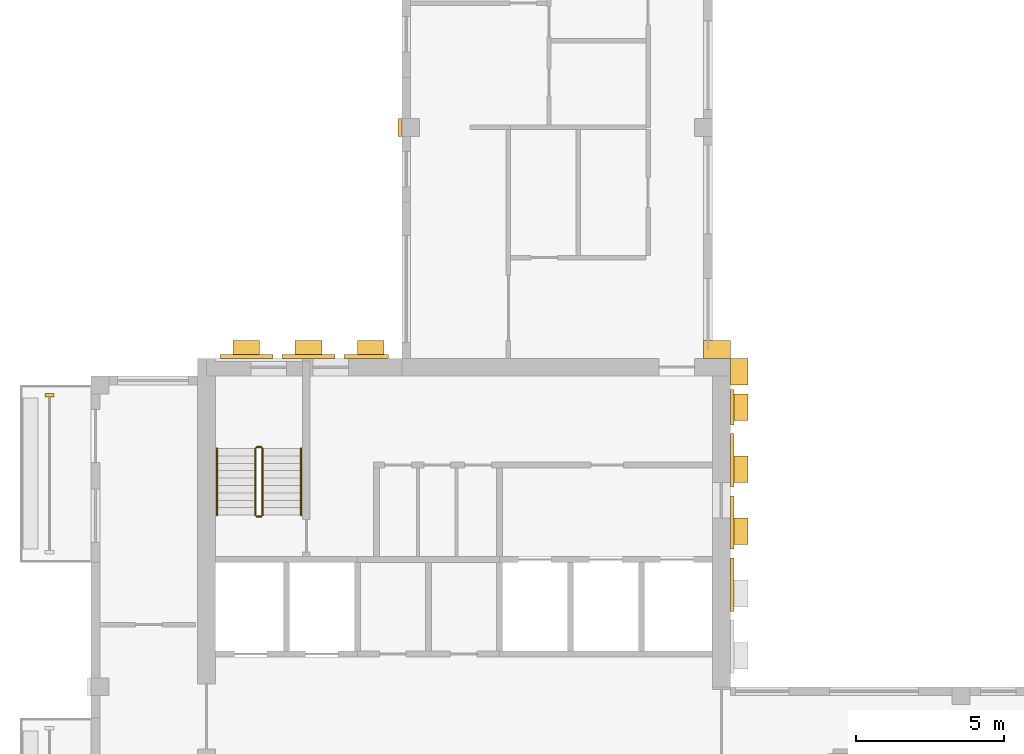
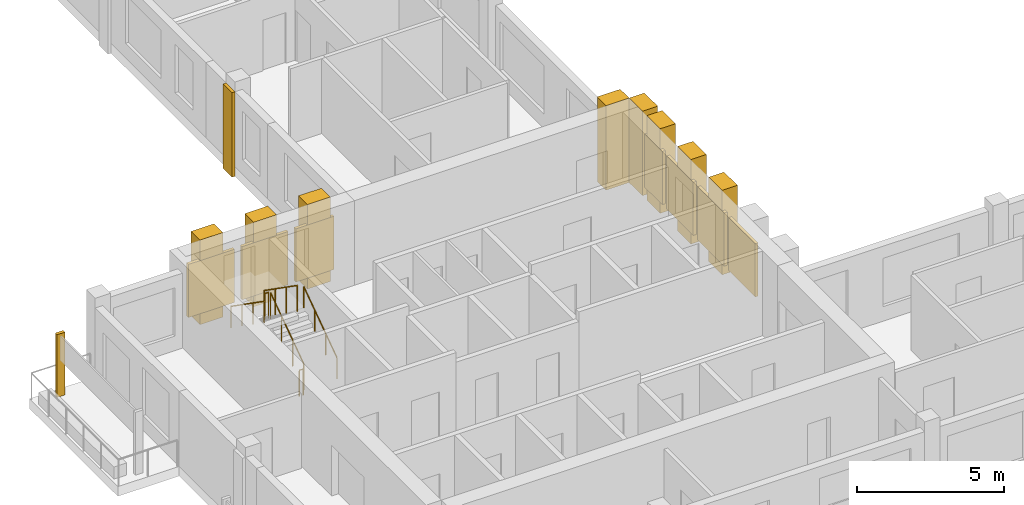
# One storey, part 8 of 10: 17 coverings, 6 railings.
"""IFC4 building model written with IfcOpenShell, lengths in metres."""

from ifc_helpers import new_model, si_unit, direction, frame, origin, origin_2d, place, context, subcontext, project, spatial, rectangle, circle, extrude, source, transform, mapped, material, type_object, element, save


model = new_model("IFC4")

# Units and contexts
model_context = context("Model", 3, precision=1e-05, world=origin(), true_north=direction((0.0, 1.0)))
body_context = subcontext(model_context, "Body", "Model", "MODEL_VIEW")
ifc_project = project(units=[si_unit("LENGTHUNIT", "METRE"), si_unit("AREAUNIT", "SQUARE_METRE"), si_unit("VOLUMEUNIT", "CUBIC_METRE"), si_unit("PLANEANGLEUNIT", "RADIAN"), si_unit("MASSUNIT", "GRAM", prefix="KILO")], contexts=[model_context])

# Site, building, storey
site_placement = place(None, origin())
site = spatial("IfcSite", under=ifc_project, at=site_placement, CompositionType="ELEMENT")
building_placement = place(site_placement, origin())
building = spatial("IfcBuilding", under=site, at=building_placement, Name="Aurelian Terraces", CompositionType="ELEMENT")
storey_placement = place(building_placement, frame((0.0, 0.0, 361.5)))
storey = spatial("IfcBuildingStorey", under=building, at=storey_placement, Name="L86", CompositionType="ELEMENT", Elevation=361.5)

# Coverings
ifc_material_1 = material(Name="Terracotta rainscreen cladding relief", Category="masonry")
covering_type_1 = type_object("IfcCoveringType", Name="FIN-TC", PredefinedType="CLADDING", material=ifc_material_1)
shared_shape_1 = source(origin(), body_context, "Body", "SweptSolid", [
    extrude(rectangle(XDim=0.3, YDim=0.12, at=origin_2d()), origin(), (0.0, 0.0, 1.0), 2.6),
])
covering_1_placement = place(storey_placement, frame((-1.4, 20.35, 0.0), z_axis=(0.0, 0.0, 1.0), x_axis=(1.0, 0.0, 0.0)))
element("IfcCovering", 1, at=covering_1_placement, inside=storey, type_object=covering_type_1, Name="FIN L86 L86-F12-22.1", PredefinedType="CLADDING", context=body_context, shape_type="MappedRepresentation", body=[
    mapped(shared_shape_1, transform((0.0, 0.0, 0.0), scale=1.0)),
])
ifc_material_2 = material(Name="Terracotta rainscreen cladding louvre blades", Category="masonry")
covering_type_2 = type_object("IfcCoveringType", Name="LOUVRE-TC", PredefinedType="CLADDING", material=ifc_material_2)
shared_shape_2 = source(origin(), body_context, "Body", "SweptSolid", [
    extrude(rectangle(XDim=0.12, YDim=1.8, at=origin_2d()), origin(), (0.0, 0.0, 1.0), 2.2),
])
for number, where, z_axis, x_axis, name in (
    (2, (21.66, 13.95, 0.45), (0.0, 0.0, 1.0), (1.0, 0.0, 0.0), "LOUVRE L86 core face E.2"),
    (3, (21.66, 16.05, 0.45), (0.0, 0.0, 1.0), (1.0, 0.0, 0.0), "LOUVRE L86 core face E.3"),
    (4, (21.66, 18.15, 0.45), (0.0, 0.0, 1.0), (1.0, 0.0, 0.0), "LOUVRE L86 core face E.4"),
):
    element("IfcCovering", number, at=place(storey_placement, frame(where, z_axis=z_axis, x_axis=x_axis)), inside=storey, type_object=covering_type_2, Name=name, PredefinedType="CLADDING", context=body_context, shape_type="MappedRepresentation", body=[
        mapped(shared_shape_2, transform((0.0, 0.0, 0.0), scale=1.0)),
    ])
shared_shape_3 = source(origin(), body_context, "Body", "SweptSolid", [
    extrude(rectangle(XDim=1.8, YDim=0.12, at=origin_2d()), origin(), (0.0, 0.0, 1.0), 2.2),
])
for number, where, z_axis, x_axis, name in (
    (5, (5.25, 21.66, 0.45), (0.0, 0.0, 1.0), (1.0, 0.0, 0.0), "LOUVRE L86 core face N.1"),
    (6, (7.35, 21.66, 0.45), (0.0, 0.0, 1.0), (1.0, 0.0, 0.0), "LOUVRE L86 core face N.2"),
):
    element("IfcCovering", number, at=place(storey_placement, frame(where, z_axis=z_axis, x_axis=x_axis)), inside=storey, type_object=covering_type_2, Name=name, PredefinedType="CLADDING", context=body_context, shape_type="MappedRepresentation", body=[
        mapped(shared_shape_3, transform((0.0, 0.0, 0.0), scale=1.0)),
    ])
shared_shape_4 = source(origin(), body_context, "Body", "SweptSolid", [
    extrude(rectangle(XDim=0.12, YDim=1.2, at=origin_2d()), origin(), (0.0, 0.0, 1.0), 2.2),
])
covering_2_placement = place(storey_placement, frame((21.66, 19.95, 0.45), z_axis=(0.0, 0.0, 1.0), x_axis=(1.0, 0.0, 0.0)))
element("IfcCovering", 7, at=covering_2_placement, inside=storey, type_object=covering_type_2, Name="LOUVRE L86 core face E.5", PredefinedType="CLADDING", context=body_context, shape_type="MappedRepresentation", body=[
    mapped(shared_shape_4, transform((0.0, 0.0, 0.0), scale=1.0)),
])
shared_shape_5 = source(origin(), body_context, "Body", "SweptSolid", [
    extrude(rectangle(XDim=1.5, YDim=0.12, at=origin_2d()), origin(), (0.0, 0.0, 1.0), 2.2),
])
covering_3_placement = place(storey_placement, frame((9.3, 21.66, 0.45), z_axis=(0.0, 0.0, 1.0), x_axis=(1.0, 0.0, 0.0)))
element("IfcCovering", 8, at=covering_3_placement, inside=storey, type_object=covering_type_2, Name="LOUVRE L86 core face N.3", PredefinedType="CLADDING", context=body_context, shape_type="MappedRepresentation", body=[
    mapped(shared_shape_5, transform((0.0, 0.0, 0.0), scale=1.0)),
])
covering_type_3 = type_object("IfcCoveringType", Name="BAGUETTE-TC", PredefinedType="CLADDING", material=ifc_material_1)
shared_shape_6 = source(origin(), body_context, "Body", "SweptSolid", [
    extrude(rectangle(XDim=0.12, YDim=0.6, at=origin_2d()), origin(), (0.0, 0.0, 1.0), 3.5),
])
covering_4_placement = place(storey_placement, frame((10.44, 29.4, -0.4), z_axis=(0.0, 0.0, 1.0), x_axis=(1.0, 0.0, 0.0)))
element("IfcCovering", 9, at=covering_4_placement, inside=storey, type_object=covering_type_3, Name="BAGUETTE pier L86 6", PredefinedType="CLADDING", context=body_context, shape_type="MappedRepresentation", body=[
    mapped(shared_shape_6, transform((0.0, 0.0, 0.0), scale=1.0)),
])

# Railings
ifc_material_3 = material(Name="Stainless steel", Category="steel")
railing_type_1 = type_object("IfcRailingType", Name="Stair guard 1100", PredefinedType="GUARDRAIL", material=ifc_material_3)
shared_shape_7 = source(origin(), body_context, "Body", "SweptSolid", [
    extrude(circle(Radius=0.024, at=origin_2d()), frame((0.0, 0.0, 1.076), z_axis=(-1.0, 0.0, 0.0), x_axis=(0.0, -1.0, 0.0)), (0.0, 0.0, 1.0), 0.15),
    extrude(circle(Radius=0.021, at=origin_2d()), origin(), (0.0, 0.0, 1.0), 1.052),
    extrude(circle(Radius=0.021, at=origin_2d()), frame((-0.15, 0.0, 0.0)), (0.0, 0.0, 1.0), 1.052),
])
for number, where, name in (
    (10, (5.75, 18.6, 1.75), "L86 S1 stair guard 2"),
    (11, (5.75, 16.25, 0.0), "L86 S1 stair guard 4"),
):
    element("IfcRailing", number, at=place(storey_placement, frame(where)), inside=storey, type_object=railing_type_1, Name=name, PredefinedType="GUARDRAIL", context=body_context, shape_type="MappedRepresentation", body=[
        mapped(shared_shape_7, transform((0.0, 0.0, 0.0), scale=1.0)),
    ])
shared_shape_8 = source(origin(), body_context, "Body", "SweptSolid", [
    extrude(circle(Radius=0.024, at=origin_2d()), frame((0.0, 0.0, 1.076), z_axis=(0.0, 0.819231920519, 0.573462344363), x_axis=(-1.0, 0.0, 0.0)), (0.0, 0.0, 1.0), 2.7465),
    extrude(circle(Radius=0.021, at=origin_2d()), origin(), (0.0, 0.0, 1.0), 1.052),
    extrude(circle(Radius=0.021, at=origin_2d()), frame((0.0, 0.75, 0.525)), (0.0, 0.0, 1.0), 1.052),
    extrude(circle(Radius=0.021, at=origin_2d()), frame((0.0, 1.5, 1.05)), (0.0, 0.0, 1.0), 1.052),
    extrude(circle(Radius=0.021, at=origin_2d()), frame((0.0, 2.25, 1.575)), (0.0, 0.0, 1.0), 1.052),
])
railing_1_placement = place(storey_placement, frame((5.8, 16.3, 0.175)))
element("IfcRailing", 12, at=railing_1_placement, inside=storey, type_object=railing_type_1, Name="L86 S1 stair guard 1", PredefinedType="GUARDRAIL", context=body_context, shape_type="MappedRepresentation", body=[
    mapped(shared_shape_8, transform((0.0, 0.0, 0.0), scale=1.0)),
])
shared_shape_9 = source(origin(), body_context, "Body", "SweptSolid", [
    extrude(circle(Radius=0.024, at=origin_2d()), frame((0.0, 0.0, 1.076), z_axis=(0.0, -0.819231920519, 0.573462344363), x_axis=(1.0, 0.0, 0.0)), (0.0, 0.0, 1.0), 2.7465),
    extrude(circle(Radius=0.021, at=origin_2d()), origin(), (0.0, 0.0, 1.0), 1.052),
    extrude(circle(Radius=0.021, at=origin_2d()), frame((0.0, -0.75, 0.525)), (0.0, 0.0, 1.0), 1.052),
    extrude(circle(Radius=0.021, at=origin_2d()), frame((0.0, -1.5, 1.05)), (0.0, 0.0, 1.0), 1.052),
    extrude(circle(Radius=0.021, at=origin_2d()), frame((0.0, -2.25, 1.575)), (0.0, 0.0, 1.0), 1.052),
])
railing_2_placement = place(storey_placement, frame((5.55, 18.55, 1.925)))
element("IfcRailing", 13, at=railing_2_placement, inside=storey, type_object=railing_type_1, Name="L86 S1 stair guard 3", PredefinedType="GUARDRAIL", context=body_context, shape_type="MappedRepresentation", body=[
    mapped(shared_shape_9, transform((0.0, 0.0, 0.0), scale=1.0)),
])
railing_type_2 = type_object("IfcRailingType", Name="Stair handrail", PredefinedType="HANDRAIL", material=ifc_material_3)
shared_shape_10 = source(origin(), body_context, "Body", "SweptSolid", [
    extrude(circle(Radius=0.024, at=origin_2d()), frame((0.0, 0.0, 0.876), z_axis=(0.0, 0.819231920519, 0.573462344363), x_axis=(-1.0, 0.0, 0.0)), (0.0, 0.0, 1.0), 2.7465),
    extrude(circle(Radius=0.021, at=origin_2d()), origin(), (0.0, 0.0, 1.0), 0.852),
    extrude(circle(Radius=0.021, at=origin_2d()), frame((0.0, 0.75, 0.525)), (0.0, 0.0, 1.0), 0.852),
    extrude(circle(Radius=0.021, at=origin_2d()), frame((0.0, 1.5, 1.05)), (0.0, 0.0, 1.0), 0.852),
    extrude(circle(Radius=0.021, at=origin_2d()), frame((0.0, 2.25, 1.575)), (0.0, 0.0, 1.0), 0.852),
])
railing_3_placement = place(storey_placement, frame((7.1, 16.3, 0.175)))
element("IfcRailing", 14, at=railing_3_placement, inside=storey, type_object=railing_type_2, Name="L86 S1 stair handrail 1", PredefinedType="HANDRAIL", context=body_context, shape_type="MappedRepresentation", body=[
    mapped(shared_shape_10, transform((0.0, 0.0, 0.0), scale=1.0)),
])
shared_shape_11 = source(origin(), body_context, "Body", "SweptSolid", [
    extrude(circle(Radius=0.024, at=origin_2d()), frame((0.0, 0.0, 0.876), z_axis=(0.0, -0.819231920519, 0.573462344363), x_axis=(1.0, 0.0, 0.0)), (0.0, 0.0, 1.0), 2.7465),
    extrude(circle(Radius=0.021, at=origin_2d()), origin(), (0.0, 0.0, 1.0), 0.852),
    extrude(circle(Radius=0.021, at=origin_2d()), frame((0.0, -0.75, 0.525)), (0.0, 0.0, 1.0), 0.852),
    extrude(circle(Radius=0.021, at=origin_2d()), frame((0.0, -1.5, 1.05)), (0.0, 0.0, 1.0), 0.852),
    extrude(circle(Radius=0.021, at=origin_2d()), frame((0.0, -2.25, 1.575)), (0.0, 0.0, 1.0), 0.852),
])
railing_4_placement = place(storey_placement, frame((4.25, 18.55, 1.925)))
element("IfcRailing", 15, at=railing_4_placement, inside=storey, type_object=railing_type_2, Name="L86 S1 stair handrail 2", PredefinedType="HANDRAIL", context=body_context, shape_type="MappedRepresentation", body=[
    mapped(shared_shape_11, transform((0.0, 0.0, 0.0), scale=1.0)),
])

# Coverings
covering_type_4 = type_object("IfcCoveringType", Name="Core spine pier 900x600", PredefinedType="CLADDING", material=ifc_material_1)
shared_shape_12 = source(origin(), body_context, "Body", "SweptSolid", [
    extrude(rectangle(XDim=0.6, YDim=0.9, at=origin_2d()), origin(), (0.0, 0.0, 1.0), 3.5),
])
for number, where, z_axis, x_axis, name in (
    (16, (21.9, 15.75, 0.0), (0.0, 0.0, 1.0), (1.0, 0.0, 0.0), "Spine pier L86 E3"),
    (17, (21.9, 17.85, 0.0), (0.0, 0.0, 1.0), (1.0, 0.0, 0.0), "Spine pier L86 E4"),
    (18, (21.9, 19.95, 0.0), (0.0, 0.0, 1.0), (1.0, 0.0, 0.0), "Spine pier L86 E5"),
    (19, (21.9, 21.15, 0.0), (0.0, 0.0, 1.0), (1.0, 0.0, 0.0), "Spine pier L86 corner east"),
):
    element("IfcCovering", number, at=place(storey_placement, frame(where, z_axis=z_axis, x_axis=x_axis)), inside=storey, type_object=covering_type_4, Name=name, PredefinedType="CLADDING", context=body_context, shape_type="MappedRepresentation", body=[
        mapped(shared_shape_12, transform((0.0, 0.0, 0.0), scale=1.0)),
    ])
shared_shape_13 = source(origin(), body_context, "Body", "SweptSolid", [
    extrude(rectangle(XDim=0.9, YDim=0.6, at=origin_2d()), origin(), (0.0, 0.0, 1.0), 3.5),
])
for number, where, z_axis, x_axis, name in (
    (20, (5.25, 21.9, 0.0), (0.0, 0.0, 1.0), (1.0, 0.0, 0.0), "Spine pier L86 N6"),
    (21, (7.35, 21.9, 0.0), (0.0, 0.0, 1.0), (1.0, 0.0, 0.0), "Spine pier L86 N7"),
    (22, (9.45, 21.9, 0.0), (0.0, 0.0, 1.0), (1.0, 0.0, 0.0), "Spine pier L86 N8"),
    (23, (21.15, 21.9, 0.0), (0.0, 0.0, 1.0), (1.0, 0.0, 0.0), "Spine pier L86 corner north"),
):
    element("IfcCovering", number, at=place(storey_placement, frame(where, z_axis=z_axis, x_axis=x_axis)), inside=storey, type_object=covering_type_4, Name=name, PredefinedType="CLADDING", context=body_context, shape_type="MappedRepresentation", body=[
        mapped(shared_shape_13, transform((0.0, 0.0, 0.0), scale=1.0)),
    ])

save(model, "model.ifc")
